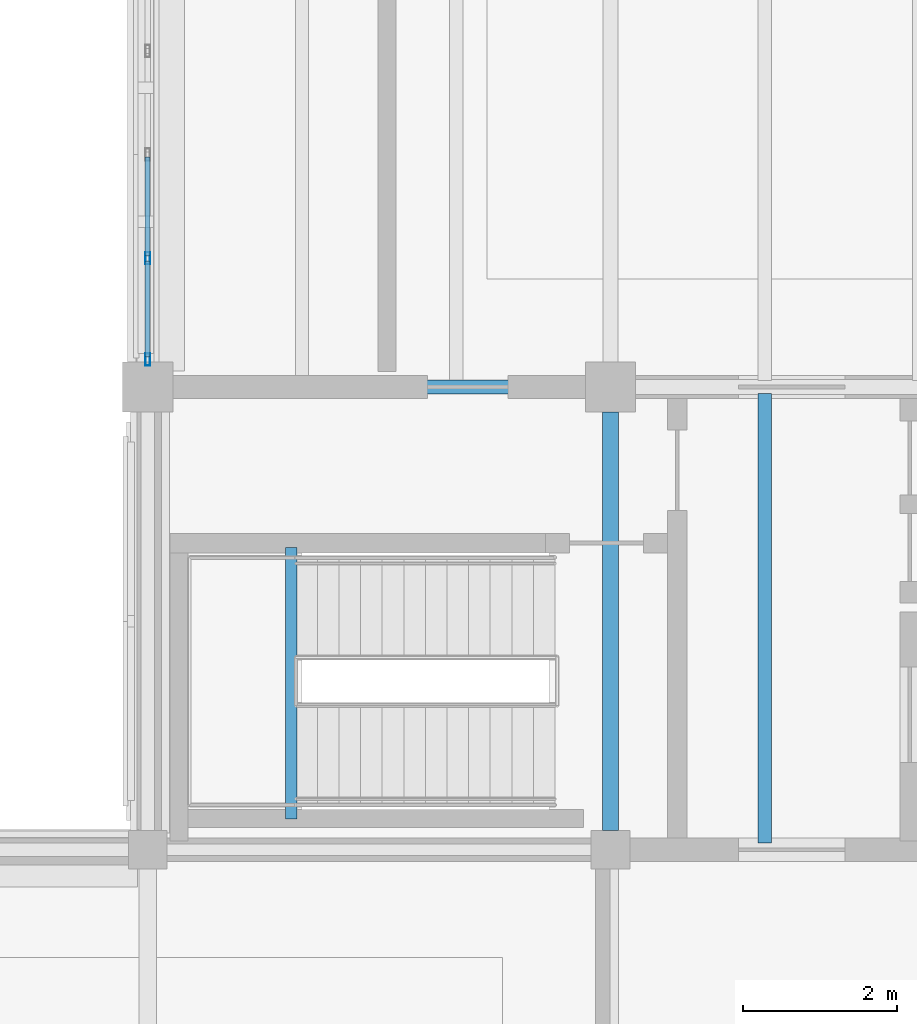
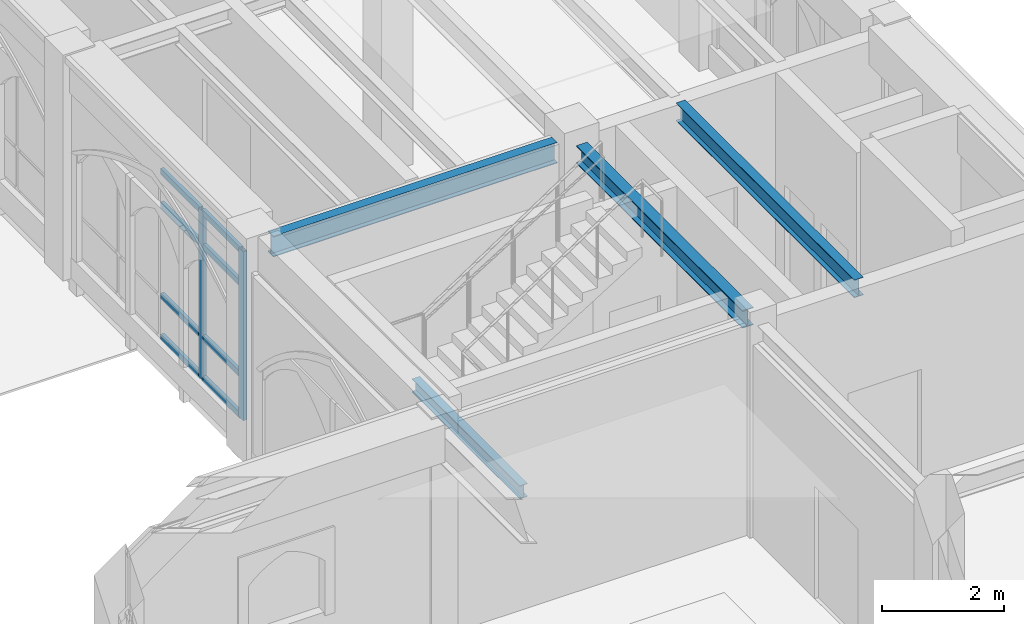
# One storey, part 10 of 127: 10 members, 4 beams, 1 element without a shape of its own.
"""IFC4 building model written with IfcOpenShell, lengths in metres."""

from ifc_helpers import new_model, si_unit, direction, frame, origin, origin_2d, place, context, subcontext, project, spatial, hollow_rectangle, i_section, extrude, material, layer, layer_set, material_profile, profile_set, type_object, element, aggregate, save


model = new_model("IFC4")

# Units and contexts
model_context = context("Model", 3, precision=1e-05, world=origin(), true_north=direction((0.0, 1.0)))
body_context = subcontext(model_context, "Body", "Model", "MODEL_VIEW")
ifc_project = project(units=[si_unit("LENGTHUNIT", "METRE"), si_unit("AREAUNIT", "SQUARE_METRE"), si_unit("VOLUMEUNIT", "CUBIC_METRE"), si_unit("PLANEANGLEUNIT", "RADIAN"), si_unit("MASSUNIT", "GRAM", prefix="KILO")], contexts=[model_context])

# Site, building, storey
site_placement = place(None, origin())
site = spatial("IfcSite", under=ifc_project, at=site_placement, CompositionType="ELEMENT")
building_placement = place(site_placement, origin())
building = spatial("IfcBuilding", under=site, at=building_placement, Name="Cumevento Cable Car Station", CompositionType="ELEMENT")
storey_placement = place(building_placement, frame((0.0, 0.0, 4.5)))
storey = spatial("IfcBuildingStorey", under=building, at=storey_placement, Name="L02", CompositionType="ELEMENT", Elevation=4.5)

# Curtain wall, members
ifc_material_1 = material(Name="Anodised Bronze Aluminium AW-6063-T6", Category="aluminium")
ifc_layer = layer(ifc_material_1, 0.18994140625)
ifc_layer_set = layer_set([ifc_layer], Name="Anodised Bronze Aluminium AW-6063-T6")
curtain_wall_type = type_object("IfcCurtainWallType", Name="Lancet Curtain Wall CW-06 1250", PredefinedType="NOTDEFINED", material=ifc_layer_set)
curtain_wall_placement = place(storey_placement, origin())
curtain_wall = element("IfcCurtainWall", 1, at=curtain_wall_placement, inside=storey, type_object=curtain_wall_type, Name="Lancet Curtain Wall CW-06 L02 #53", PredefinedType="NOTDEFINED")
ifc_material_2 = material(Name="Anodised Bronze Aluminium AW-6063-T6", Category="aluminium")
ifc_material_profile_1 = material_profile(ifc_material_2, hollow_rectangle(XDim=0.06494140625, YDim=0.159912109375, WallThickness=0.00390625, at=origin_2d()), Name="ALUM65x160x4")
ifc_profile_set_1 = profile_set([ifc_material_profile_1], Name="Anodised Bronze Aluminium AW-6063-T6")
member_type_1 = type_object("IfcMemberType", Name="Curtain Mullion CWM-01 ALUM65x160x4", PredefinedType="MULLION", material=ifc_profile_set_1)
member_1_placement = place(storey_placement, frame((10.0, 33.357421875, 0.409912109375), z_axis=(0.0, 0.0, 1.0), x_axis=(-1.0, 0.0, 0.0)))
member_1 = element("IfcMember", 2, at=member_1_placement, type_object=member_type_1, Name="CW-06 mullion 1", PredefinedType="MULLION", context=body_context, shape_type="SweptSolid", body=[
    extrude(hollow_rectangle(XDim=0.06494140625, YDim=0.159912109375, WallThickness=0.00390625, at=origin_2d()), origin(), (0.0, 0.0, 1.0), 3.3681640625),
])
member_2_placement = place(storey_placement, frame((10.0, 34.668701171875, 0.409912109375), z_axis=(0.0, 0.0, 1.0), x_axis=(-1.0, 0.0, 0.0)))
member_2 = element("IfcMember", 3, at=member_2_placement, type_object=member_type_1, Name="CW-06 mullion 2", PredefinedType="MULLION", context=body_context, shape_type="SweptSolid", body=[
    extrude(hollow_rectangle(XDim=0.06494140625, YDim=0.159912109375, WallThickness=0.00390625, at=origin_2d()), origin(), (0.0, 0.0, 1.0), 3.3681640625),
])
ifc_material_3 = material(Name="Anodised Bronze Aluminium AW-6063-T6", Category="aluminium")
ifc_material_profile_2 = material_profile(ifc_material_3, hollow_rectangle(XDim=0.06494140625, YDim=0.1201171875, WallThickness=0.00390625, at=origin_2d()), Name="ALUT65x120x4")
ifc_profile_set_2 = profile_set([ifc_material_profile_2], Name="Anodised Bronze Aluminium AW-6063-T6")
member_type_2 = type_object("IfcMemberType", Name="Curtain Transom CWT-01 ALUT65x120x4", PredefinedType="USERDEFINED", material=ifc_profile_set_2)
member_3_placement = place(storey_placement, frame((10.0, 33.389892578125, 0.4423828125), z_axis=(0.0, 1.0, 0.0), x_axis=(-1.0, 0.0, 0.0)))
member_3 = element("IfcMember", 4, at=member_3_placement, type_object=member_type_2, Name="CW-06 transom 1.1", ObjectType="TRANSOM", PredefinedType="USERDEFINED", context=body_context, shape_type="SweptSolid", body=[
    extrude(hollow_rectangle(XDim=0.06494140625, YDim=0.1201171875, WallThickness=0.00390625, at=origin_2d()), origin(), (0.0, 0.0, 1.0), 1.246337890625),
])
member_4_placement = place(storey_placement, frame((10.0, 33.389892578125, 1.260009765625), z_axis=(0.0, 1.0, 0.0), x_axis=(-1.0, 0.0, 0.0)))
member_4 = element("IfcMember", 5, at=member_4_placement, type_object=member_type_2, Name="CW-06 transom 1.2", ObjectType="TRANSOM", PredefinedType="USERDEFINED", context=body_context, shape_type="SweptSolid", body=[
    extrude(hollow_rectangle(XDim=0.06494140625, YDim=0.1201171875, WallThickness=0.00390625, at=origin_2d()), origin(), (0.0, 0.0, 1.0), 1.246337890625),
])
member_5_placement = place(storey_placement, frame((10.0, 33.389892578125, 3.077880859375), z_axis=(0.0, 1.0, 0.0), x_axis=(-1.0, 0.0, 0.0)))
member_5 = element("IfcMember", 6, at=member_5_placement, type_object=member_type_2, Name="CW-06 transom 1.3", ObjectType="TRANSOM", PredefinedType="USERDEFINED", context=body_context, shape_type="SweptSolid", body=[
    extrude(hollow_rectangle(XDim=0.06494140625, YDim=0.1201171875, WallThickness=0.00390625, at=origin_2d()), origin(), (0.0, 0.0, 1.0), 1.246337890625),
])
member_6_placement = place(storey_placement, frame((10.0, 33.389892578125, 3.74560546875), z_axis=(0.0, 1.0, 0.0), x_axis=(-1.0, 0.0, 0.0)))
member_6 = element("IfcMember", 7, at=member_6_placement, type_object=member_type_2, Name="CW-06 transom 1.4", ObjectType="TRANSOM", PredefinedType="USERDEFINED", context=body_context, shape_type="SweptSolid", body=[
    extrude(hollow_rectangle(XDim=0.06494140625, YDim=0.1201171875, WallThickness=0.00390625, at=origin_2d()), origin(), (0.0, 0.0, 1.0), 1.246337890625),
])
member_7_placement = place(storey_placement, frame((10.0, 34.701171875, 0.4423828125), z_axis=(0.0, 1.0, 0.0), x_axis=(-1.0, 0.0, 0.0)))
member_7 = element("IfcMember", 8, at=member_7_placement, type_object=member_type_2, Name="CW-06 transom 2.1", ObjectType="TRANSOM", PredefinedType="USERDEFINED", context=body_context, shape_type="SweptSolid", body=[
    extrude(hollow_rectangle(XDim=0.06494140625, YDim=0.1201171875, WallThickness=0.00390625, at=origin_2d()), origin(), (0.0, 0.0, 1.0), 1.27880859375),
])
member_8_placement = place(storey_placement, frame((10.0, 34.701171875, 1.260009765625), z_axis=(0.0, 1.0, 0.0), x_axis=(-1.0, 0.0, 0.0)))
member_8 = element("IfcMember", 9, at=member_8_placement, type_object=member_type_2, Name="CW-06 transom 2.2", ObjectType="TRANSOM", PredefinedType="USERDEFINED", context=body_context, shape_type="SweptSolid", body=[
    extrude(hollow_rectangle(XDim=0.06494140625, YDim=0.1201171875, WallThickness=0.00390625, at=origin_2d()), origin(), (0.0, 0.0, 1.0), 1.27880859375),
])
member_9_placement = place(storey_placement, frame((10.0, 34.701171875, 3.077880859375), z_axis=(0.0, 1.0, 0.0), x_axis=(-1.0, 0.0, 0.0)))
member_9 = element("IfcMember", 10, at=member_9_placement, type_object=member_type_2, Name="CW-06 transom 2.3", ObjectType="TRANSOM", PredefinedType="USERDEFINED", context=body_context, shape_type="SweptSolid", body=[
    extrude(hollow_rectangle(XDim=0.06494140625, YDim=0.1201171875, WallThickness=0.00390625, at=origin_2d()), origin(), (0.0, 0.0, 1.0), 1.27880859375),
])
member_10_placement = place(storey_placement, frame((10.0, 34.701171875, 3.74560546875), z_axis=(0.0, 1.0, 0.0), x_axis=(-1.0, 0.0, 0.0)))
member_10 = element("IfcMember", 11, at=member_10_placement, type_object=member_type_2, Name="CW-06 transom 2.4", ObjectType="TRANSOM", PredefinedType="USERDEFINED", context=body_context, shape_type="SweptSolid", body=[
    extrude(hollow_rectangle(XDim=0.06494140625, YDim=0.1201171875, WallThickness=0.00390625, at=origin_2d()), origin(), (0.0, 0.0, 1.0), 1.27880859375),
])
aggregate(curtain_wall, [member_1, member_2, member_3, member_4, member_5, member_6, member_7, member_8, member_9, member_10])

# Beams
ifc_material_4 = material(Name="Steel ASTM A572 Grade 50", Category="steel")
ifc_material_profile_3 = material_profile(ifc_material_4, i_section(OverallWidth=0.205078125, OverallDepth=0.35400390625, WebThickness=0.009521484375, FlangeThickness=0.016845703125, at=origin_2d()), Name="W360x79.0")
ifc_profile_set_3 = profile_set([ifc_material_profile_3], Name="Steel ASTM A572 Grade 50")
beam_type_1 = type_object("IfcBeamType", Name="Structural Beam BM-05 W360x79.0", PredefinedType="BEAM", material=ifc_profile_set_3)
beam_1_placement = place(storey_placement, frame((16.0, 27.25, 4.008056640625), z_axis=(0.0, 1.0, 0.0), x_axis=(-1.0, 0.0, 0.0)))
element("IfcBeam", 12, at=beam_1_placement, inside=storey, type_object=beam_type_1, Name="Beam BM-05 L02 #537", PredefinedType="BEAM", context=body_context, shape_type="SweptSolid", body=[
    extrude(i_section(OverallWidth=0.205078125, OverallDepth=0.35400390625, WebThickness=0.009521484375, FlangeThickness=0.016845703125, at=origin_2d()), origin(), (0.0, 0.0, 1.0), 5.425048828125),
])
ifc_material_5 = material(Name="Steel ASTM A572 Grade 50", Category="steel")
ifc_material_profile_4 = material_profile(ifc_material_5, i_section(OverallWidth=0.14794921875, OverallDepth=0.26611328125, WebThickness=0.007568359375, FlangeThickness=0.012939453125, at=origin_2d()), Name="W250x44.8")
ifc_profile_set_4 = profile_set([ifc_material_profile_4], Name="Steel ASTM A572 Grade 50")
beam_type_2 = type_object("IfcBeamType", Name="Structural Beam BM-07 W250x44.8", PredefinedType="BEAM", material=ifc_profile_set_4)
beam_2_placement = place(storey_placement, frame((11.860107421875, 27.39990234375, 1.909912109375), z_axis=(0.0, 1.0, 0.0), x_axis=(-1.0, 0.0, 0.0)))
element("IfcBeam", 13, at=beam_2_placement, inside=storey, type_object=beam_type_2, Name="Core Stair Half-Landing Trimmer ST-03-L02", PredefinedType="BEAM", context=body_context, shape_type="SweptSolid", body=[
    extrude(i_section(OverallWidth=0.14794921875, OverallDepth=0.26611328125, WebThickness=0.007568359375, FlangeThickness=0.012939453125, at=origin_2d()), origin(), (0.0, 0.0, 1.0), 3.52001953125),
])
ifc_material_6 = material(Name="Steel ASTM A572 Grade 50", Category="steel")
ifc_material_profile_5 = material_profile(ifc_material_6, i_section(OverallWidth=0.179931640625, OverallDepth=0.4130859375, WebThickness=0.009765625, FlangeThickness=0.01611328125, at=origin_2d()), Name="W410x74.0")
ifc_profile_set_5 = profile_set([ifc_material_profile_5], Name="Steel ASTM A572 Grade 50")
beam_type_3 = type_object("IfcBeamType", Name="Structural Beam BM-09 W410x74.0", PredefinedType="BEAM", material=ifc_profile_set_5)
beam_3_placement = place(storey_placement, frame((10.324951171875, 33.0, 3.978515625), z_axis=(1.0, 0.0, 0.0), x_axis=(0.0, 1.0, 0.0)))
element("IfcBeam", 14, at=beam_3_placement, inside=storey, type_object=beam_type_3, Name="Beam BM-09 L02 #534", PredefinedType="BEAM", context=body_context, shape_type="SweptSolid", body=[
    extrude(i_section(OverallWidth=0.179931640625, OverallDepth=0.4130859375, WebThickness=0.009765625, FlangeThickness=0.01611328125, at=origin_2d()), origin(), (0.0, 0.0, 1.0), 5.35009765625),
])
ifc_material_7 = material(Name="Steel ASTM A572 Grade 50", Category="steel")
ifc_material_profile_6 = material_profile(ifc_material_7, i_section(OverallWidth=0.1708984375, OverallDepth=0.35498046875, WebThickness=0.007080078125, FlangeThickness=0.01171875, at=origin_2d()), Name="W360x51.0")
ifc_profile_set_6 = profile_set([ifc_material_profile_6], Name="Steel ASTM A572 Grade 50")
beam_type_4 = type_object("IfcBeamType", Name="Structural Joist JS-01 W360x51.0", PredefinedType="JOIST", material=ifc_profile_set_6)
beam_4_placement = place(storey_placement, frame((18.0, 27.089599609375, 4.007568359375), z_axis=(0.0, 1.0, 0.0), x_axis=(-1.0, 0.0, 0.0)))
element("IfcBeam", 15, at=beam_4_placement, inside=storey, type_object=beam_type_4, Name="Composite Floor Joist JS-01 L02 #779", PredefinedType="JOIST", context=body_context, shape_type="SweptSolid", body=[
    extrude(i_section(OverallWidth=0.1708984375, OverallDepth=0.35498046875, WebThickness=0.007080078125, FlangeThickness=0.01171875, at=origin_2d()), origin(), (0.0, 0.0, 1.0), 5.826416015625),
])

save(model, "model.ifc")
